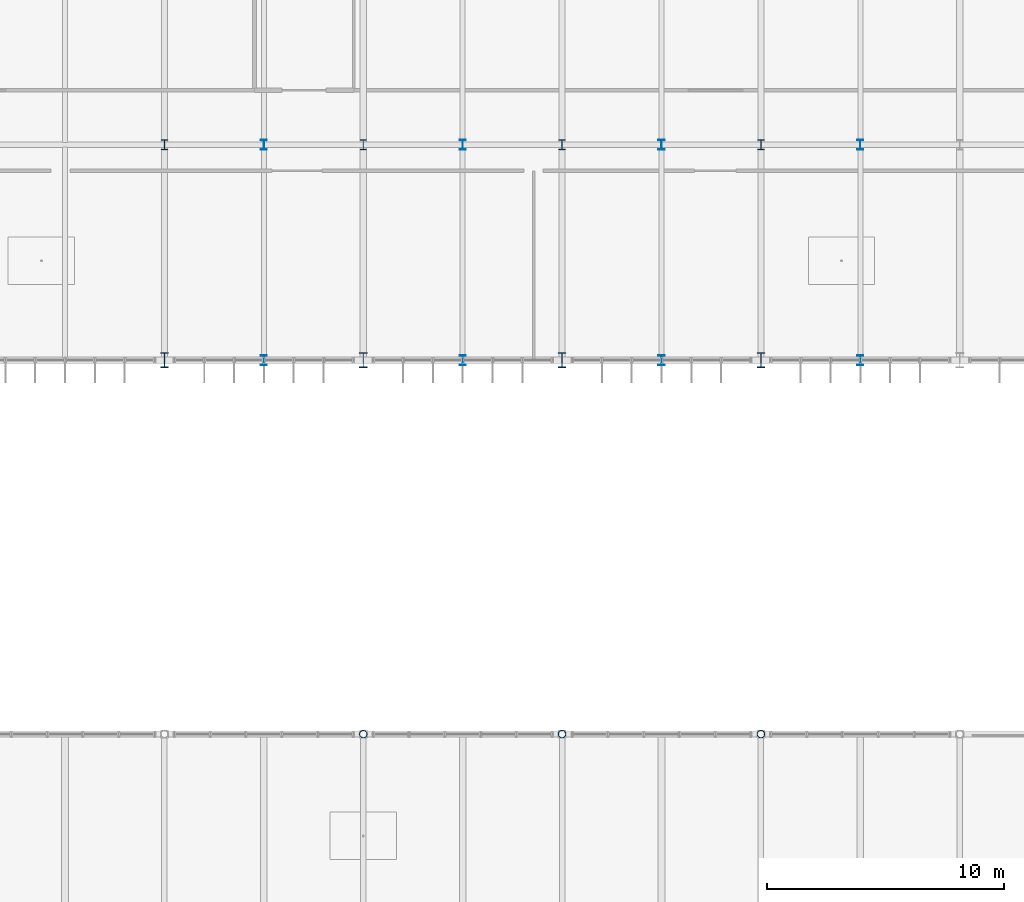
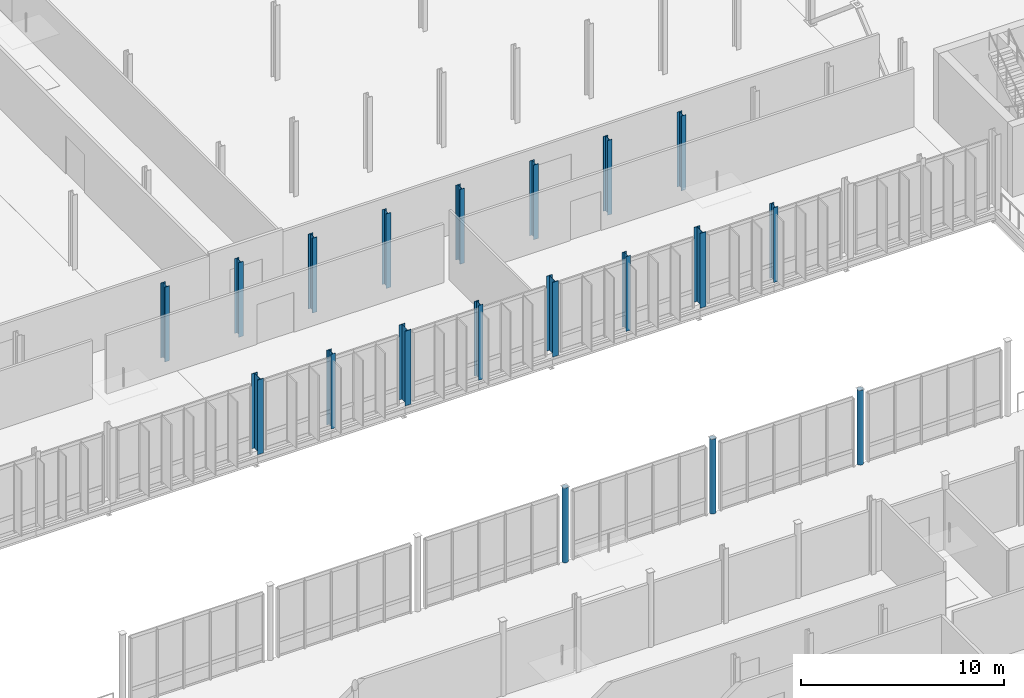
# One storey, part 7 of 139: 19 columns.
"""IFC4 building model written with IfcOpenShell, lengths in metres."""

from ifc_helpers import new_model, si_unit, derived_unit, direction, frame, origin, origin_2d, place, context, subcontext, project, spatial, hollow_circle, i_section, extrude, material, material_profile, profile_set, type_object, element, save


model = new_model("IFC4")

# Units and contexts
model_context = context("Model", 3, precision=1e-05, world=origin(), true_north=direction((0.0, 1.0)))
body_context = subcontext(model_context, "Body", "Model", "MODEL_VIEW")
ifc_project = project(units=[si_unit("LENGTHUNIT", "METRE"), si_unit("AREAUNIT", "SQUARE_METRE"), si_unit("VOLUMEUNIT", "CUBIC_METRE"), si_unit("PLANEANGLEUNIT", "RADIAN"), si_unit("MASSUNIT", "GRAM", prefix="KILO"), derived_unit("THERMALTRANSMITTANCEUNIT", [(si_unit("MASSUNIT", "GRAM", prefix="KILO"), 1), (si_unit("TIMEUNIT", "SECOND"), -3), (si_unit("THERMODYNAMICTEMPERATUREUNIT", "KELVIN"), -1)])], contexts=[model_context])

# Site, building, storey
site_placement = place(None, origin())
site = spatial("IfcSite", under=ifc_project, at=site_placement, CompositionType="ELEMENT")
building_placement = place(site_placement, origin())
building = spatial("IfcBuilding", under=site, at=building_placement, Name="Makaiwela Harbour Ferry Terminal", CompositionType="ELEMENT")
storey_placement = place(building_placement, frame((0.0, 0.0, 5.10009765625)))
storey = spatial("IfcBuildingStorey", under=building, at=storey_placement, Name="L01", CompositionType="ELEMENT", Elevation=5.10009765625)

# Columns
ifc_material_1 = material(Name="Steel ASTM A500 Grade C", Category="steel")
ifc_material_profile_1 = material_profile(ifc_material_1, hollow_circle(Radius=0.162109375, WallThickness=0.0126953125, at=origin_2d()), Name="PIPE12XS")
ifc_profile_set_1 = profile_set([ifc_material_profile_1], Name="Steel ASTM A500 Grade C")
column_type_1 = type_object("IfcColumnType", Name="STR-COL-PIPE12", PredefinedType="COLUMN", material=ifc_profile_set_1)
for number, where, z_axis, x_axis, name in (
    (1, (105.0, 33.60009765625, 0.0), (0.0, 0.0, 1.0), (1.0, 0.0, 0.0), "Structural Column C-07"),
    (2, (113.39990234375, 33.60009765625, 0.0), (0.0, 0.0, 1.0), (1.0, 0.0, 0.0), "Structural Column C-07"),
    (3, (121.800048828125, 33.60009765625, 0.0), (0.0, 0.0, 1.0), (1.0, 0.0, 0.0), "Structural Column C-07"),
):
    element("IfcColumn", number, at=place(storey_placement, frame(where, z_axis=z_axis, x_axis=x_axis)), inside=storey, type_object=column_type_1, Name=name, PredefinedType="COLUMN", context=body_context, shape_type="SweptSolid", body=[
        extrude(hollow_circle(Radius=0.162109375, WallThickness=0.0126953125, at=origin_2d()), origin(), (0.0, 0.0, 1.0), 4.5),
    ])
ifc_material_2 = material(Name="Steel ASTM A992 Grade 50", Category="steel")
ifc_material_profile_2 = material_profile(ifc_material_2, i_section(OverallWidth=0.264892578125, OverallDepth=0.430908203125, WebThickness=0.014892578125, FlangeThickness=0.02490234375, at=origin_2d()), Name="W16X100")
ifc_profile_set_2 = profile_set([ifc_material_profile_2], Name="Steel ASTM A992 Grade 50")
column_type_2 = type_object("IfcColumnType", Name="STR-COL-W16X100", PredefinedType="COLUMN", material=ifc_profile_set_2)
for number, where, z_axis, x_axis, name in (
    (4, (96.60009765625, 58.5, 0.0), (0.0, 0.0, 1.0), (1.0, 0.0, 0.0), "Structural Column C-03"),
    (5, (105.0, 58.5, 0.0), (0.0, 0.0, 1.0), (1.0, 0.0, 0.0), "Structural Column C-03"),
    (6, (113.39990234375, 58.5, 0.0), (0.0, 0.0, 1.0), (1.0, 0.0, 0.0), "Structural Column C-03"),
    (7, (121.800048828125, 58.5, 0.0), (0.0, 0.0, 1.0), (1.0, 0.0, 0.0), "Structural Column C-03"),
):
    element("IfcColumn", number, at=place(storey_placement, frame(where, z_axis=z_axis, x_axis=x_axis)), inside=storey, type_object=column_type_2, Name=name, PredefinedType="COLUMN", context=body_context, shape_type="SweptSolid", body=[
        extrude(i_section(OverallWidth=0.264892578125, OverallDepth=0.430908203125, WebThickness=0.014892578125, FlangeThickness=0.02490234375, at=origin_2d()), origin(), (0.0, 0.0, 1.0), 4.5),
    ])
ifc_material_profile_3 = material_profile(ifc_material_2, i_section(OverallWidth=0.260986328125, OverallDepth=0.4189453125, WebThickness=0.01171875, FlangeThickness=0.019287109375, at=origin_2d()), Name="W16X77")
ifc_profile_set_3 = profile_set([ifc_material_profile_3], Name="Steel ASTM A992 Grade 50")
column_type_3 = type_object("IfcColumnType", Name="STR-COL-W16X77", PredefinedType="COLUMN", material=ifc_profile_set_3)
for number, where, z_axis, x_axis, name in (
    (8, (100.800048828125, 49.39990234375, 0.0), (0.0, 0.0, 1.0), (1.0, 0.0, 0.0), "Structural Column C-04"),
    (9, (100.800048828125, 58.5, 0.0), (0.0, 0.0, 1.0), (1.0, 0.0, 0.0), "Structural Column C-04"),
    (10, (109.199951171875, 49.39990234375, 0.0), (0.0, 0.0, 1.0), (1.0, 0.0, 0.0), "Structural Column C-04"),
    (11, (109.199951171875, 58.5, 0.0), (0.0, 0.0, 1.0), (1.0, 0.0, 0.0), "Structural Column C-04"),
    (12, (117.60009765625, 49.39990234375, 0.0), (0.0, 0.0, 1.0), (1.0, 0.0, 0.0), "Structural Column C-04"),
    (13, (117.60009765625, 58.5, 0.0), (0.0, 0.0, 1.0), (1.0, 0.0, 0.0), "Structural Column C-04"),
    (14, (126.0, 49.39990234375, 0.0), (0.0, 0.0, 1.0), (1.0, 0.0, 0.0), "Structural Column C-04"),
    (15, (126.0, 58.5, 0.0), (0.0, 0.0, 1.0), (1.0, 0.0, 0.0), "Structural Column C-04"),
):
    element("IfcColumn", number, at=place(storey_placement, frame(where, z_axis=z_axis, x_axis=x_axis)), inside=storey, type_object=column_type_3, Name=name, PredefinedType="COLUMN", context=body_context, shape_type="SweptSolid", body=[
        extrude(i_section(OverallWidth=0.260986328125, OverallDepth=0.4189453125, WebThickness=0.01171875, FlangeThickness=0.019287109375, at=origin_2d()), origin(), (0.0, 0.0, 1.0), 4.5),
    ])
ifc_material_profile_4 = material_profile(ifc_material_2, i_section(OverallWidth=0.327880859375, OverallDepth=0.6279296875, WebThickness=0.0166015625, FlangeThickness=0.027587890625, at=origin_2d()), Name="W24X146")
ifc_profile_set_4 = profile_set([ifc_material_profile_4], Name="Steel ASTM A992 Grade 50")
column_type_4 = type_object("IfcColumnType", Name="STR-COL-W24X146", PredefinedType="COLUMN", material=ifc_profile_set_4)
for number, where, z_axis, x_axis, name in (
    (16, (96.60009765625, 49.39990234375, 0.0), (0.0, 0.0, 1.0), (1.0, 0.0, 0.0), "Structural Column C-01"),
    (17, (105.0, 49.39990234375, 0.0), (0.0, 0.0, 1.0), (1.0, 0.0, 0.0), "Structural Column C-01"),
    (18, (113.39990234375, 49.39990234375, 0.0), (0.0, 0.0, 1.0), (1.0, 0.0, 0.0), "Structural Column C-01"),
    (19, (121.800048828125, 49.39990234375, 0.0), (0.0, 0.0, 1.0), (1.0, 0.0, 0.0), "Structural Column C-01"),
):
    element("IfcColumn", number, at=place(storey_placement, frame(where, z_axis=z_axis, x_axis=x_axis)), inside=storey, type_object=column_type_4, Name=name, PredefinedType="COLUMN", context=body_context, shape_type="SweptSolid", body=[
        extrude(i_section(OverallWidth=0.327880859375, OverallDepth=0.6279296875, WebThickness=0.0166015625, FlangeThickness=0.027587890625, at=origin_2d()), origin(), (0.0, 0.0, 1.0), 4.5),
    ])

save(model, "model.ifc")
